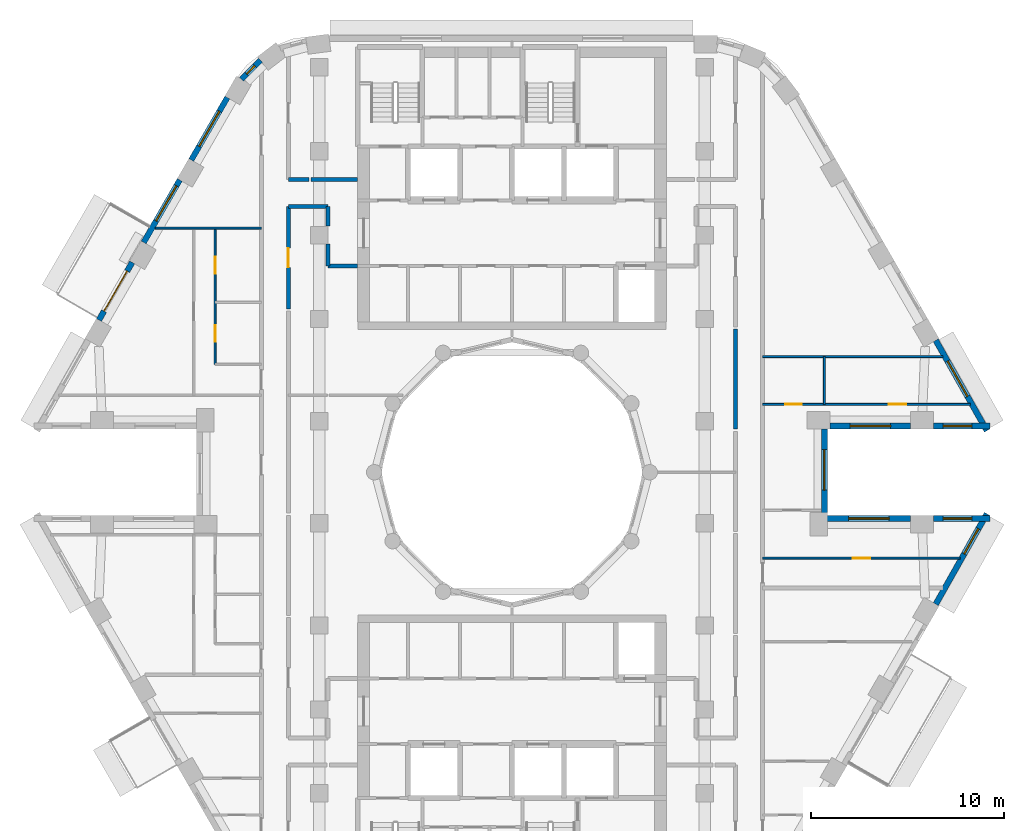
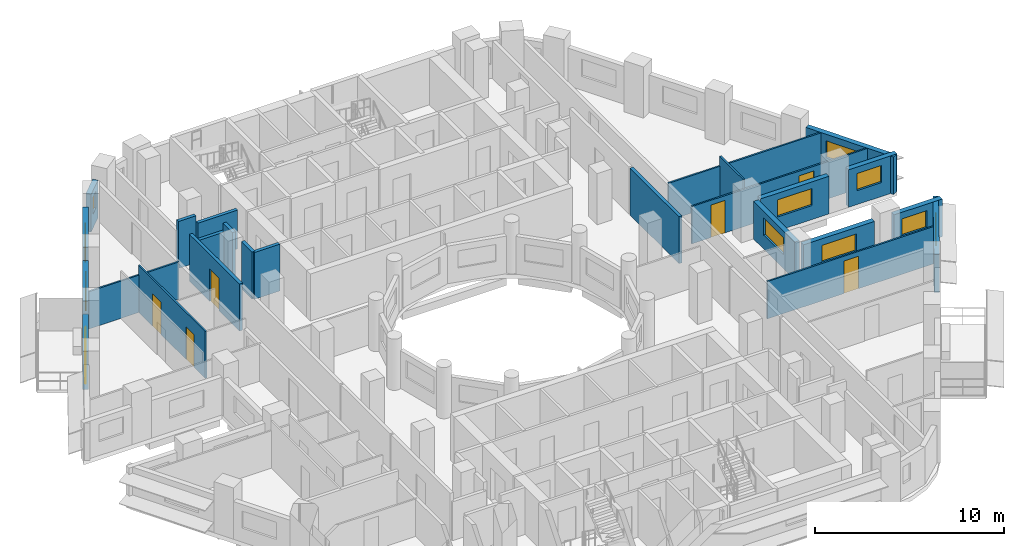
# One storey, part 7 of 17: 25 walls, 10 windows, 7 doors, 17 openings.
"""IFC4 building model written with IfcOpenShell, lengths in metres."""

from ifc_helpers import new_model, si_unit, direction, frame, frame_2d, origin, place, context, subcontext, project, spatial, rectangle, extrude, material, layer, layer_set, type_object, element, fill, save


model = new_model("IFC4")

# Units and contexts
model_context = context("Model", 3, precision=1e-05, world=origin(), true_north=direction((0.0, 1.0)))
body_context = subcontext(model_context, "Body", "Model", "MODEL_VIEW")
ifc_project = project(units=[si_unit("LENGTHUNIT", "METRE"), si_unit("AREAUNIT", "SQUARE_METRE"), si_unit("VOLUMEUNIT", "CUBIC_METRE"), si_unit("PLANEANGLEUNIT", "RADIAN"), si_unit("MASSUNIT", "GRAM", prefix="KILO")], contexts=[model_context])

# Site, building, storey
site_placement = place(None, origin())
site = spatial("IfcSite", under=ifc_project, at=site_placement, CompositionType="ELEMENT")
building_placement = place(site_placement, origin())
building = spatial("IfcBuilding", under=site, at=building_placement, Name="Nakaniwa Court", CompositionType="ELEMENT")
storey_placement = place(building_placement, frame((0.0, 0.0, 206.39990234375)))
storey = spatial("IfcBuildingStorey", under=building, at=storey_placement, Name="L54", CompositionType="ELEMENT", Elevation=206.39990234375)

# Walls
ifc_material_1 = material(Name="Acoustic double stud partition")
ifc_layer_1 = layer(ifc_material_1, 0.199951171875)
ifc_layer_set_1 = layer_set([ifc_layer_1], Name="Acoustic double stud partition")
wall_type_1 = type_object("IfcWallType", Name="Acoustic double stud partition 200", PredefinedType="PARTITIONING", material=ifc_layer_set_1)
wall_1_placement = place(storey_placement, frame((91.60009765625, 82.2373046875, 0.0), z_axis=(0.0, 0.0, 1.0), x_axis=(0.0, 1.0, 0.0)))
element("IfcWall", 1, at=wall_1_placement, inside=storey, type_object=wall_type_1, Name="Partition PW-077", PredefinedType="PARTITIONING", context=body_context, shape_type="SweptSolid", body=[
    extrude(rectangle(XDim=5.185546875, YDim=0.199951171875, at=frame_2d((2.5927734375, 0.0))), origin(), (0.0, 0.0, 1.0), 3.025146484375),
])
wall_2_placement = place(storey_placement, frame((68.39990234375, 93.77490234375, 0.0), z_axis=(0.0, 0.0, 1.0), x_axis=(1.0, 0.0, 0.0)))
element("IfcWall", 2, at=wall_2_placement, inside=storey, type_object=wall_type_1, Name="Partition PW-093", PredefinedType="PARTITIONING", context=body_context, shape_type="SweptSolid", body=[
    extrude(rectangle(XDim=2.050048828125, YDim=0.199951171875, at=frame_2d((1.02490234375, 0.0))), origin(), (0.0, 0.0, 1.0), 2.505126953125),
])
wall_3_placement = place(storey_placement, frame((70.449951171875, 90.699951171875, 0.0), z_axis=(0.0, 0.0, 1.0), x_axis=(1.0, 0.0, 0.0)))
element("IfcWall", 3, at=wall_3_placement, inside=storey, type_object=wall_type_1, Name="Partition PW-095", PredefinedType="PARTITIONING", context=body_context, shape_type="SweptSolid", body=[
    extrude(rectangle(XDim=1.550048828125, YDim=0.199951171875, at=frame_2d((0.77490234375, 0.0))), origin(), (0.0, 0.0, 1.0), 3.025146484375),
])
wall_4_placement = place(storey_placement, frame((68.39990234375, 95.175048828125, 0.0), z_axis=(0.0, 0.0, 1.0), x_axis=(1.0, 0.0, 0.0)))
element("IfcWall", 4, at=wall_4_placement, inside=storey, type_object=wall_type_1, Name="Partition PW-097", PredefinedType="PARTITIONING", context=body_context, shape_type="SweptSolid", body=[
    extrude(rectangle(XDim=1.072998046875, YDim=0.199951171875, at=frame_2d((0.53662109375, 0.0))), origin(), (0.0, 0.0, 1.0), 3.025146484375),
])
wall_5_placement = place(storey_placement, frame((69.587158203125, 95.175048828125, 0.0), z_axis=(0.0, 0.0, 1.0), x_axis=(1.0, 0.0, 0.0)))
element("IfcWall", 5, at=wall_5_placement, inside=storey, type_object=wall_type_1, Name="Partition PW-098", PredefinedType="PARTITIONING", context=body_context, shape_type="SweptSolid", body=[
    extrude(rectangle(XDim=2.412841796875, YDim=0.199951171875, at=frame_2d((1.20654296875, 0.0))), origin(), (0.0, 0.0, 1.0), 2.505126953125),
])

# Wall, opening, door
wall_6_placement = place(storey_placement, frame((68.39990234375, 93.77490234375, 0.0), z_axis=(0.0, 0.0, 1.0), x_axis=(0.0, -1.0, 0.0)))
wall_6 = element("IfcWall", 6, at=wall_6_placement, inside=storey, type_object=wall_type_1, Name="Partition PW-105", PredefinedType="PARTITIONING", context=body_context, shape_type="SweptSolid", body=[
    extrude(rectangle(XDim=5.297607421875, YDim=0.199951171875, at=frame_2d((2.64892578125, 0.0))), origin(), (0.0, 0.0, 1.0), 3.025146484375),
])
opening_1_placement = place(wall_6_placement, frame((2.14794921875, 0.0, 0.0)))
opening_1 = element("IfcOpeningElement", 7, at=opening_1_placement, cuts=wall_6, Name="Opening D-02-06", PredefinedType="OPENING", context=body_context, shape_type="SweptSolid", body=[
    extrude(rectangle(XDim=1.0, YDim=2.10009765625, at=frame_2d((0.5, 1.050048828125))), frame((0.0, 0.10986328125, 0.0), z_axis=(0.0, -1.0, 0.0), x_axis=(1.0, 0.0, 0.0)), (0.0, 0.0, 1.0), 0.219970703125),
])
ifc_material_2 = material(Name="Solid core timber door set, black veneer", Category="wood")
door_type_1 = type_object("IfcDoorType", Name="Internal door 1000", OperationType="NOTDEFINED", PredefinedType="DOOR", material=ifc_material_2)
door_1_placement = place(opening_1_placement, origin())
door_1 = element("IfcDoor", 8, at=door_1_placement, inside=storey, type_object=door_type_1, Name="Door D-02-06 L54-051", OperationType="SINGLE_SWING_RIGHT", OverallHeight=2.10009765625, OverallWidth=1.0, PredefinedType="DOOR", context=body_context, shape_type="SweptSolid", body=[
    extrude(rectangle(XDim=1.0, YDim=2.10009765625, at=frame_2d((0.5, 1.050048828125))), frame((0.0, 0.02490234375, 0.0), z_axis=(0.0, -1.0, 0.0), x_axis=(1.0, 0.0, 0.0)), (0.0, 0.0, 1.0), 0.050048828125),
])
fill(opening_1, door_1)

# Walls
wall_7_placement = place(storey_placement, frame((70.449951171875, 90.699951171875, 0.0), z_axis=(0.0, 0.0, 1.0), x_axis=(0.0, 1.0, 0.0)))
element("IfcWall", 9, at=wall_7_placement, inside=storey, type_object=wall_type_1, Name="Partition PW-110", PredefinedType="PARTITIONING", context=body_context, shape_type="SweptSolid", body=[
    extrude(rectangle(XDim=1.1328125, YDim=0.199951171875, at=frame_2d((0.56640625, 0.0))), origin(), (0.0, 0.0, 1.0), 3.025146484375),
])
wall_8_placement = place(storey_placement, frame((70.449951171875, 92.76708984375, 0.0), z_axis=(0.0, 0.0, 1.0), x_axis=(0.0, 1.0, 0.0)))
element("IfcWall", 10, at=wall_8_placement, inside=storey, type_object=wall_type_1, Name="Partition PW-111", PredefinedType="PARTITIONING", context=body_context, shape_type="SweptSolid", body=[
    extrude(rectangle(XDim=1.0078125, YDim=0.199951171875, at=frame_2d((0.50390625, 0.0))), origin(), (0.0, 0.0, 1.0), 3.025146484375),
])

# Wall, opening, window
ifc_material_3 = material(Name="Charcoal ceramic cladding")
ifc_layer_2 = layer(ifc_material_3, 0.02, Name="Ceramic cladding")
ifc_material_4 = material(Name="Ventilated air cavity")
ifc_layer_3 = layer(ifc_material_4, 0.04, ventilated=True, Name="Ventilated cavity")
ifc_material_5 = material(Name="Mineral wool insulation")
ifc_layer_4 = layer(ifc_material_5, 0.1, Name="Insulation")
ifc_material_6 = material(Name="Cement bonded sheathing board")
ifc_layer_5 = layer(ifc_material_6, 0.012, Name="Sheathing")
ifc_material_7 = material(Name="Cold-formed galvanised stud frame with mineral wool infill")
ifc_layer_6 = layer(ifc_material_7, 0.1, Name="Stud frame")
ifc_material_8 = material(Name="Fire-rated gypsum plasterboard lining")
ifc_layer_7 = layer(ifc_material_8, 0.028, Name="Lining")
ifc_layer_set_2 = layer_set([ifc_layer_2, ifc_layer_3, ifc_layer_4, ifc_layer_5, ifc_layer_6, ifc_layer_7], Name="Charcoal ceramic faced external wall system")
wall_type_2 = type_object("IfcWallType", Name="Black ceramic faced external wall 300", PredefinedType="SOLIDWALL", material=ifc_layer_set_2)
wall_9_placement = place(storey_placement, frame((96.49560546875, 82.39990234375, 0.0), z_axis=(0.0, 0.0, 1.0), x_axis=(1.0, 0.0, 0.0)))
wall_9 = element("IfcWall", 11, at=wall_9_placement, inside=storey, type_object=wall_type_2, Name="L54 external wall 00", PredefinedType="SOLIDWALL", context=body_context, shape_type="SweptSolid", body=[
    extrude(rectangle(XDim=4.17236328125, YDim=0.300048828125, at=frame_2d((2.086181640625, 0.0))), origin(), (0.0, 0.0, 1.0), 2.425048828125),
])
opening_2_placement = place(wall_9_placement, frame((1.036376953125, 0.0, 0.89990234375)))
opening_2 = element("IfcOpeningElement", 12, at=opening_2_placement, cuts=wall_9, Name="Opening W7.01", PredefinedType="OPENING", context=body_context, shape_type="SweptSolid", body=[
    extrude(rectangle(XDim=2.10009765625, YDim=1.10009765625, at=frame_2d((1.050048828125, 0.550048828125))), frame((0.0, 0.159912109375, 0.0), z_axis=(0.0, -1.0, 0.0), x_axis=(1.0, 0.0, 0.0)), (0.0, 0.0, 1.0), 0.320068359375),
])
ifc_material_9 = material(Name="Black anodised aluminium frame with dark low-E laminated double glazing", Category="aluminium")
window_type_1 = type_object("IfcWindowType", Name="Dark glass window 2100x1100 sill 900", PartitioningType="SINGLE_PANEL", PredefinedType="WINDOW", material=ifc_material_9)
window_1_placement = place(opening_2_placement, origin())
window_1 = element("IfcWindow", 13, at=window_1_placement, inside=storey, type_object=window_type_1, Name="L54 living window 00-0", OverallHeight=1.10009765625, OverallWidth=2.10009765625, PartitioningType="SINGLE_PANEL", PredefinedType="WINDOW", context=body_context, shape_type="SweptSolid", body=[
    extrude(rectangle(XDim=2.10009765625, YDim=1.10009765625, at=frame_2d((1.050048828125, 0.550048828125))), frame((0.0, 0.030029296875, 0.0), z_axis=(0.0, -1.0, 0.0), x_axis=(1.0, 0.0, 0.0)), (0.0, 0.0, 1.0), 0.06005859375),
])
fill(opening_2, window_1)

wall_10_placement = place(storey_placement, frame((101.860107421875, 82.39990234375, 0.0), z_axis=(0.0, 0.0, 1.0), x_axis=(1.0, 0.0, 0.0)))
wall_10 = element("IfcWall", 14, at=wall_10_placement, inside=storey, type_object=wall_type_2, Name="L54 external wall 01", PredefinedType="SOLIDWALL", context=body_context, shape_type="SweptSolid", body=[
    extrude(rectangle(XDim=2.937744140625, YDim=0.300048828125, at=frame_2d((1.46875, 0.0))), origin(), (0.0, 0.0, 1.0), 2.425048828125),
])
opening_3_placement = place(wall_10_placement, frame((0.493896484375, 0.0, 0.89990234375)))
opening_3 = element("IfcOpeningElement", 15, at=opening_3_placement, cuts=wall_10, Name="Opening W5.02", PredefinedType="OPENING", context=body_context, shape_type="SweptSolid", body=[
    extrude(rectangle(XDim=1.5, YDim=1.10009765625, at=frame_2d((0.75, 0.550048828125))), frame((0.0, 0.159912109375, 0.0), z_axis=(0.0, -1.0, 0.0), x_axis=(1.0, 0.0, 0.0)), (0.0, 0.0, 1.0), 0.320068359375),
])
window_type_2 = type_object("IfcWindowType", Name="Dark glass window 1500x1100 sill 900", PartitioningType="SINGLE_PANEL", PredefinedType="WINDOW", material=ifc_material_9)
window_2_placement = place(opening_3_placement, origin())
window_2 = element("IfcWindow", 16, at=window_2_placement, inside=storey, type_object=window_type_2, Name="L54 living window 01-0", OverallHeight=1.10009765625, OverallWidth=1.5, PartitioningType="SINGLE_PANEL", PredefinedType="WINDOW", context=body_context, shape_type="SweptSolid", body=[
    extrude(rectangle(XDim=1.5, YDim=1.10009765625, at=frame_2d((0.75, 0.550048828125))), frame((0.0, 0.030029296875, 0.0), z_axis=(0.0, -1.0, 0.0), x_axis=(1.0, 0.0, 0.0)), (0.0, 0.0, 1.0), 0.06005859375),
])
fill(opening_3, window_2)

wall_11_placement = place(storey_placement, frame((104.627197265625, 82.153564453125, 0.0), z_axis=(0.0, 0.0, 1.0), x_axis=(-0.492033360928, 0.870576344575, 0.0)))
wall_11 = element("IfcWall", 17, at=wall_11_placement, inside=storey, type_object=wall_type_2, Name="L54 external wall 02", PredefinedType="SOLIDWALL", context=body_context, shape_type="SweptSolid", body=[
    extrude(rectangle(XDim=5.38671875, YDim=0.300048828125, at=frame_2d((2.693359375, 0.0))), origin(), (0.0, 0.0, 1.0), 2.425048828125),
])
opening_4_placement = place(wall_11_placement, frame((2.04296875, 0.0, 0.89990234375)))
opening_4 = element("IfcOpeningElement", 18, at=opening_4_placement, cuts=wall_11, Name="Opening W7.03", PredefinedType="OPENING", context=body_context, shape_type="SweptSolid", body=[
    extrude(rectangle(XDim=2.10009765625, YDim=1.10009765625, at=frame_2d((1.050048828125, 0.550048828125))), frame((0.0, 0.159912109375, 0.0), z_axis=(0.0, -1.0, 0.0), x_axis=(1.0, 0.0, 0.0)), (0.0, 0.0, 1.0), 0.320068359375),
])
window_3_placement = place(opening_4_placement, origin())
window_3 = element("IfcWindow", 19, at=window_3_placement, inside=storey, type_object=window_type_1, Name="L54 habitable room window 02-1", OverallHeight=1.10009765625, OverallWidth=2.10009765625, PartitioningType="SINGLE_PANEL", PredefinedType="WINDOW", context=body_context, shape_type="SweptSolid", body=[
    extrude(rectangle(XDim=2.10009765625, YDim=1.10009765625, at=frame_2d((1.050048828125, 0.550048828125))), frame((0.0, 0.030029296875, 0.0), z_axis=(0.0, -1.0, 0.0), x_axis=(1.0, 0.0, 0.0)), (0.0, 0.0, 1.0), 0.06005859375),
])
fill(opening_4, window_3)

wall_12_placement = place(storey_placement, frame((66.951904296875, 101.36328125, 0.0), z_axis=(0.0, 0.0, 1.0), x_axis=(-0.70869320446, -0.705516790695, 0.0)))
wall_12 = element("IfcWall", 20, at=wall_12_placement, inside=storey, type_object=wall_type_2, Name="L54 external wall 10", PredefinedType="SOLIDWALL", context=body_context, shape_type="SweptSolid", body=[
    extrude(rectangle(XDim=1.383544921875, YDim=0.300048828125, at=frame_2d((0.69189453125, 0.0))), origin(), (0.0, 0.0, 1.0), 2.425048828125),
])
opening_5_placement = place(wall_12_placement, frame((0.407958984375, 0.0, 0.89990234375)))
opening_5 = element("IfcOpeningElement", 21, at=opening_5_placement, cuts=wall_12, Name="Opening W8.12", PredefinedType="OPENING", context=body_context, shape_type="SweptSolid", body=[
    extrude(rectangle(XDim=0.60009765625, YDim=1.10009765625, at=frame_2d((0.300048828125, 0.550048828125))), frame((0.0, 0.159912109375, 0.0), z_axis=(0.0, -1.0, 0.0), x_axis=(1.0, 0.0, 0.0)), (0.0, 0.0, 1.0), 0.320068359375),
])
window_type_3 = type_object("IfcWindowType", Name="Dark glass window 600x1100 sill 900", PartitioningType="SINGLE_PANEL", PredefinedType="WINDOW", material=ifc_material_9)
window_4_placement = place(opening_5_placement, origin())
window_4 = element("IfcWindow", 22, at=window_4_placement, inside=storey, type_object=window_type_3, Name="L54 habitable room window 10-1", OverallHeight=1.10009765625, OverallWidth=0.60009765625, PartitioningType="SINGLE_PANEL", PredefinedType="WINDOW", context=body_context, shape_type="SweptSolid", body=[
    extrude(rectangle(XDim=0.60009765625, YDim=1.10009765625, at=frame_2d((0.300048828125, 0.550048828125))), frame((0.0, 0.030029296875, 0.0), z_axis=(0.0, -1.0, 0.0), x_axis=(1.0, 0.0, 0.0)), (0.0, 0.0, 1.0), 0.06005859375),
])
fill(opening_5, window_4)

wall_13_placement = place(storey_placement, frame((65.239013671875, 99.433349609375, 0.0), z_axis=(0.0, 0.0, 1.0), x_axis=(-0.499982088007, -0.866035745032, 0.0)))
wall_13 = element("IfcWall", 23, at=wall_13_placement, inside=storey, type_object=wall_type_2, Name="L54 external wall 11", PredefinedType="SOLIDWALL", context=body_context, shape_type="SweptSolid", body=[
    extrude(rectangle(XDim=3.744384765625, YDim=0.300048828125, at=frame_2d((1.8720703125, 0.0))), origin(), (0.0, 0.0, 1.0), 2.425048828125),
])
opening_6_placement = place(wall_13_placement, frame((0.822265625, 0.0, 0.89990234375)))
opening_6 = element("IfcOpeningElement", 24, at=opening_6_placement, cuts=wall_13, Name="Opening W7.13", PredefinedType="OPENING", context=body_context, shape_type="SweptSolid", body=[
    extrude(rectangle(XDim=2.10009765625, YDim=1.10009765625, at=frame_2d((1.050048828125, 0.550048828125))), frame((0.0, 0.159912109375, 0.0), z_axis=(0.0, -1.0, 0.0), x_axis=(1.0, 0.0, 0.0)), (0.0, 0.0, 1.0), 0.320068359375),
])
window_5_placement = place(opening_6_placement, origin())
window_5 = element("IfcWindow", 25, at=window_5_placement, inside=storey, type_object=window_type_1, Name="L54 habitable room window 11-0", OverallHeight=1.10009765625, OverallWidth=2.10009765625, PartitioningType="SINGLE_PANEL", PredefinedType="WINDOW", context=body_context, shape_type="SweptSolid", body=[
    extrude(rectangle(XDim=2.10009765625, YDim=1.10009765625, at=frame_2d((1.050048828125, 0.550048828125))), frame((0.0, 0.030029296875, 0.0), z_axis=(0.0, -1.0, 0.0), x_axis=(1.0, 0.0, 0.0)), (0.0, 0.0, 1.0), 0.06005859375),
])
fill(opening_6, window_5)

wall_14_placement = place(storey_placement, frame((62.77099609375, 95.158447265625, 0.0), z_axis=(0.0, 0.0, 1.0), x_axis=(-0.500059225181, -0.86599120741, 0.0)))
wall_14 = element("IfcWall", 26, at=wall_14_placement, inside=storey, type_object=wall_type_2, Name="L54 external wall 12", PredefinedType="SOLIDWALL", context=body_context, shape_type="SweptSolid", body=[
    extrude(rectangle(XDim=3.744140625, YDim=0.300048828125, at=frame_2d((1.8720703125, 0.0))), origin(), (0.0, 0.0, 1.0), 2.425048828125),
])
opening_7_placement = place(wall_14_placement, frame((0.3544921875, 0.0, 0.89990234375)))
opening_7 = element("IfcOpeningElement", 27, at=opening_7_placement, cuts=wall_14, Name="Opening W7.14", PredefinedType="OPENING", context=body_context, shape_type="SweptSolid", body=[
    extrude(rectangle(XDim=2.10009765625, YDim=1.10009765625, at=frame_2d((1.050048828125, 0.550048828125))), frame((0.0, 0.159912109375, 0.0), z_axis=(0.0, -1.0, 0.0), x_axis=(1.0, 0.0, 0.0)), (0.0, 0.0, 1.0), 0.320068359375),
])
window_6_placement = place(opening_7_placement, origin())
window_6 = element("IfcWindow", 28, at=window_6_placement, inside=storey, type_object=window_type_1, Name="L54 habitable room window 12-0", OverallHeight=1.10009765625, OverallWidth=2.10009765625, PartitioningType="SINGLE_PANEL", PredefinedType="WINDOW", context=body_context, shape_type="SweptSolid", body=[
    extrude(rectangle(XDim=2.10009765625, YDim=1.10009765625, at=frame_2d((1.050048828125, 0.550048828125))), frame((0.0, 0.030029296875, 0.0), z_axis=(0.0, -1.0, 0.0), x_axis=(1.0, 0.0, 0.0)), (0.0, 0.0, 1.0), 0.06005859375),
])
fill(opening_7, window_6)

# Wall, opening, door
wall_15_placement = place(storey_placement, frame((60.302734375, 90.883544921875, 0.0), z_axis=(0.0, 0.0, 1.0), x_axis=(-0.499955427682, -0.866051136095, 0.0)))
wall_15 = element("IfcWall", 29, at=wall_15_placement, inside=storey, type_object=wall_type_2, Name="L54 external wall 13", PredefinedType="SOLIDWALL", context=body_context, shape_type="SweptSolid", body=[
    extrude(rectangle(XDim=3.447021484375, YDim=0.300048828125, at=frame_2d((1.7236328125, 0.0))), origin(), (0.0, 0.0, 1.0), 2.425048828125),
])
opening_8_placement = place(wall_15_placement, frame((0.5234375, 0.0, 0.0)))
opening_8 = element("IfcOpeningElement", 30, at=opening_8_placement, cuts=wall_15, Name="Opening XD13.01", PredefinedType="OPENING", context=body_context, shape_type="SweptSolid", body=[
    extrude(rectangle(XDim=2.39990234375, YDim=2.0, at=frame_2d((1.199951171875, 1.0))), frame((0.0, 0.159912109375, 0.0), z_axis=(0.0, -1.0, 0.0), x_axis=(1.0, 0.0, 0.0)), (0.0, 0.0, 1.0), 0.320068359375),
])
ifc_material_10 = material(Name="Black powder-coated aluminium frame with dark laminated glass", Category="aluminium")
door_type_2 = type_object("IfcDoorType", Name="Balcony sliding door 2400x2000", OperationType="DOUBLE_DOOR_SLIDING", PredefinedType="DOOR", material=ifc_material_10)
door_2_placement = place(opening_8_placement, origin())
door_2 = element("IfcDoor", 31, at=door_2_placement, inside=storey, type_object=door_type_2, Name="L54 balcony sliding door 01", OperationType="DOUBLE_DOOR_SLIDING", OverallHeight=2.0, OverallWidth=2.39990234375, PredefinedType="DOOR", context=body_context, shape_type="SweptSolid", body=[
    extrude(rectangle(XDim=2.39990234375, YDim=2.0, at=frame_2d((1.199951171875, 1.0))), frame((0.0, 0.02490234375, 0.0), z_axis=(0.0, -1.0, 0.0), x_axis=(1.0, 0.0, 0.0)), (0.0, 0.0, 1.0), 0.050048828125),
])
fill(opening_8, door_2)

# Wall, opening, window
wall_16_placement = place(storey_placement, frame((101.976806640625, 73.156982421875, 0.0), z_axis=(0.0, 0.0, 1.0), x_axis=(0.492033360928, 0.870576344575, 0.0)))
wall_16 = element("IfcWall", 32, at=wall_16_placement, inside=storey, type_object=wall_type_2, Name="L54 external wall 32", PredefinedType="SOLIDWALL", context=body_context, shape_type="SweptSolid", body=[
    extrude(rectangle(XDim=5.38671875, YDim=0.300048828125, at=frame_2d((2.693359375, 0.0))), origin(), (0.0, 0.0, 1.0), 2.425048828125),
])
opening_9_placement = place(wall_16_placement, frame((2.993896484375, 0.0, 0.89990234375)))
opening_9 = element("IfcOpeningElement", 33, at=opening_9_placement, cuts=wall_16, Name="Opening W5.32", PredefinedType="OPENING", context=body_context, shape_type="SweptSolid", body=[
    extrude(rectangle(XDim=1.5, YDim=1.10009765625, at=frame_2d((0.75, 0.550048828125))), frame((0.0, 0.159912109375, 0.0), z_axis=(0.0, -1.0, 0.0), x_axis=(1.0, 0.0, 0.0)), (0.0, 0.0, 1.0), 0.320068359375),
])
window_7_placement = place(opening_9_placement, origin())
window_7 = element("IfcWindow", 34, at=window_7_placement, inside=storey, type_object=window_type_2, Name="L54 habitable room window 32-2", OverallHeight=1.10009765625, OverallWidth=1.5, PartitioningType="SINGLE_PANEL", PredefinedType="WINDOW", context=body_context, shape_type="SweptSolid", body=[
    extrude(rectangle(XDim=1.5, YDim=1.10009765625, at=frame_2d((0.75, 0.550048828125))), frame((0.0, 0.030029296875, 0.0), z_axis=(0.0, -1.0, 0.0), x_axis=(1.0, 0.0, 0.0)), (0.0, 0.0, 1.0), 0.06005859375),
])
fill(opening_9, window_7)

wall_17_placement = place(storey_placement, frame((104.7978515625, 77.60009765625, 0.0), z_axis=(0.0, 0.0, 1.0), x_axis=(-1.0, 0.0, 0.0)))
wall_17 = element("IfcWall", 35, at=wall_17_placement, inside=storey, type_object=wall_type_2, Name="L54 external wall 33", PredefinedType="SOLIDWALL", context=body_context, shape_type="SweptSolid", body=[
    extrude(rectangle(XDim=2.937744140625, YDim=0.300048828125, at=frame_2d((1.46875, 0.0))), origin(), (0.0, 0.0, 1.0), 2.425048828125),
])
opening_10_placement = place(wall_17_placement, frame((0.944091796875, 0.0, 0.89990234375)))
opening_10 = element("IfcOpeningElement", 36, at=opening_10_placement, cuts=wall_17, Name="Opening W5.33", PredefinedType="OPENING", context=body_context, shape_type="SweptSolid", body=[
    extrude(rectangle(XDim=1.5, YDim=1.10009765625, at=frame_2d((0.75, 0.550048828125))), frame((0.0, 0.159912109375, 0.0), z_axis=(0.0, -1.0, 0.0), x_axis=(1.0, 0.0, 0.0)), (0.0, 0.0, 1.0), 0.320068359375),
])
window_8_placement = place(opening_10_placement, origin())
window_8 = element("IfcWindow", 37, at=window_8_placement, inside=storey, type_object=window_type_2, Name="L54 habitable room window 33-0", OverallHeight=1.10009765625, OverallWidth=1.5, PartitioningType="SINGLE_PANEL", PredefinedType="WINDOW", context=body_context, shape_type="SweptSolid", body=[
    extrude(rectangle(XDim=1.5, YDim=1.10009765625, at=frame_2d((0.75, 0.550048828125))), frame((0.0, 0.030029296875, 0.0), z_axis=(0.0, -1.0, 0.0), x_axis=(1.0, 0.0, 0.0)), (0.0, 0.0, 1.0), 0.06005859375),
])
fill(opening_10, window_8)

wall_18_placement = place(storey_placement, frame((100.66796875, 77.60009765625, 0.0), z_axis=(0.0, 0.0, 1.0), x_axis=(-1.0, 0.0, 0.0)))
wall_18 = element("IfcWall", 38, at=wall_18_placement, inside=storey, type_object=wall_type_2, Name="L54 external wall 34", PredefinedType="SOLIDWALL", context=body_context, shape_type="SweptSolid", body=[
    extrude(rectangle(XDim=4.322509765625, YDim=0.300048828125, at=frame_2d((2.1611328125, 0.0))), origin(), (0.0, 0.0, 1.0), 2.425048828125),
])
opening_11_placement = place(wall_18_placement, frame((1.111083984375, 0.0, 0.89990234375)))
opening_11 = element("IfcOpeningElement", 39, at=opening_11_placement, cuts=wall_18, Name="Opening W7.34", PredefinedType="OPENING", context=body_context, shape_type="SweptSolid", body=[
    extrude(rectangle(XDim=2.10009765625, YDim=1.10009765625, at=frame_2d((1.050048828125, 0.550048828125))), frame((0.0, 0.159912109375, 0.0), z_axis=(0.0, -1.0, 0.0), x_axis=(1.0, 0.0, 0.0)), (0.0, 0.0, 1.0), 0.320068359375),
])
window_9_placement = place(opening_11_placement, origin())
window_9 = element("IfcWindow", 40, at=window_9_placement, inside=storey, type_object=window_type_1, Name="L54 habitable room window 34-0", OverallHeight=1.10009765625, OverallWidth=2.10009765625, PartitioningType="SINGLE_PANEL", PredefinedType="WINDOW", context=body_context, shape_type="SweptSolid", body=[
    extrude(rectangle(XDim=2.10009765625, YDim=1.10009765625, at=frame_2d((1.050048828125, 0.550048828125))), frame((0.0, 0.030029296875, 0.0), z_axis=(0.0, -1.0, 0.0), x_axis=(1.0, 0.0, 0.0)), (0.0, 0.0, 1.0), 0.06005859375),
])
fill(opening_11, window_9)

wall_19_placement = place(storey_placement, frame((96.199462890625, 77.89599609375, 0.0), z_axis=(0.0, 0.0, 1.0), x_axis=(0.0, 1.0, 0.0)))
wall_19 = element("IfcWall", 41, at=wall_19_placement, inside=storey, type_object=wall_type_2, Name="L54 external wall 35", PredefinedType="SOLIDWALL", context=body_context, shape_type="SweptSolid", body=[
    extrude(rectangle(XDim=4.35791015625, YDim=0.300048828125, at=frame_2d((2.178955078125, 0.0))), origin(), (0.0, 0.0, 1.0), 2.425048828125),
])
opening_12_placement = place(wall_19_placement, frame((1.181396484375, 0.0, 0.89990234375)))
opening_12 = element("IfcOpeningElement", 42, at=opening_12_placement, cuts=wall_19, Name="Opening W7.35", PredefinedType="OPENING", context=body_context, shape_type="SweptSolid", body=[
    extrude(rectangle(XDim=2.10009765625, YDim=1.10009765625, at=frame_2d((1.050048828125, 0.550048828125))), frame((0.0, 0.159912109375, 0.0), z_axis=(0.0, -1.0, 0.0), x_axis=(1.0, 0.0, 0.0)), (0.0, 0.0, 1.0), 0.320068359375),
])
window_10_placement = place(opening_12_placement, origin())
window_10 = element("IfcWindow", 43, at=window_10_placement, inside=storey, type_object=window_type_1, Name="L54 living window 35-1", OverallHeight=1.10009765625, OverallWidth=2.10009765625, PartitioningType="SINGLE_PANEL", PredefinedType="WINDOW", context=body_context, shape_type="SweptSolid", body=[
    extrude(rectangle(XDim=2.10009765625, YDim=1.10009765625, at=frame_2d((1.050048828125, 0.550048828125))), frame((0.0, 0.030029296875, 0.0), z_axis=(0.0, -1.0, 0.0), x_axis=(1.0, 0.0, 0.0)), (0.0, 0.0, 1.0), 0.06005859375),
])
fill(opening_12, window_10)

# Wall, opening, door
ifc_material_11 = material(Name="Single stud plasterboard partition")
ifc_layer_8 = layer(ifc_material_11, 0.10009765625)
ifc_layer_set_3 = layer_set([ifc_layer_8], Name="Single stud plasterboard partition")
wall_type_3 = type_object("IfcWallType", Name="Single stud plasterboard partition 100", PredefinedType="PARTITIONING", material=ifc_layer_set_3)
wall_20_placement = place(storey_placement, frame((93.0009765625, 75.550048828125, 0.0), z_axis=(0.0, 0.0, 1.0), x_axis=(1.0, 0.0, 0.0)))
wall_20 = element("IfcWall", 44, at=wall_20_placement, inside=storey, type_object=wall_type_3, Name="Partition PW-122", PredefinedType="PARTITIONING", context=body_context, shape_type="SweptSolid", body=[
    extrude(rectangle(XDim=10.2373046875, YDim=0.10009765625, at=frame_2d((5.11865234375, 0.0))), origin(), (0.0, 0.0, 1.0), 2.405029296875),
])
opening_13_placement = place(wall_20_placement, frame((4.6689453125, 0.0, 0.0)))
opening_13 = element("IfcOpeningElement", 45, at=opening_13_placement, cuts=wall_20, Name="Opening D-33-03", PredefinedType="OPENING", context=body_context, shape_type="SweptSolid", body=[
    extrude(rectangle(XDim=0.89990234375, YDim=2.10009765625, at=frame_2d((0.449951171875, 1.050048828125))), frame((0.0, 0.06005859375, 0.0), z_axis=(0.0, -1.0, 0.0), x_axis=(1.0, 0.0, 0.0)), (0.0, 0.0, 1.0), 0.1201171875),
])
door_type_3 = type_object("IfcDoorType", Name="Internal door 900", OperationType="NOTDEFINED", PredefinedType="DOOR", material=ifc_material_2)
door_3_placement = place(opening_13_placement, origin())
door_3 = element("IfcDoor", 46, at=door_3_placement, inside=storey, type_object=door_type_3, Name="Door D-33-03 L54-036", OperationType="SINGLE_SWING_LEFT", OverallHeight=2.10009765625, OverallWidth=0.89990234375, PredefinedType="DOOR", context=body_context, shape_type="SweptSolid", body=[
    extrude(rectangle(XDim=0.89990234375, YDim=2.10009765625, at=frame_2d((0.449951171875, 1.050048828125))), frame((0.0, 0.02490234375, 0.0), z_axis=(0.0, -1.0, 0.0), x_axis=(1.0, 0.0, 0.0)), (0.0, 0.0, 1.0), 0.050048828125),
])
fill(opening_13, door_3)

# Wall, openings, doors
wall_21_placement = place(storey_placement, frame((93.0009765625, 83.52490234375, 0.0), z_axis=(0.0, 0.0, 1.0), x_axis=(1.0, 0.0, 0.0)))
wall_21 = element("IfcWall", 47, at=wall_21_placement, inside=storey, type_object=wall_type_3, Name="Partition PW-124", PredefinedType="PARTITIONING", context=body_context, shape_type="SweptSolid", body=[
    extrude(rectangle(XDim=10.771484375, YDim=0.10009765625, at=frame_2d((5.3857421875, 0.0))), origin(), (0.0, 0.0, 1.0), 2.405029296875),
])
opening_14_placement = place(wall_21_placement, frame((1.175048828125, 0.0, 0.0)))
opening_14 = element("IfcOpeningElement", 48, at=opening_14_placement, cuts=wall_21, Name="Opening D-03-02", PredefinedType="OPENING", context=body_context, shape_type="SweptSolid", body=[
    extrude(rectangle(XDim=0.85009765625, YDim=2.10009765625, at=frame_2d((0.425048828125, 1.050048828125))), frame((0.0, 0.06005859375, 0.0), z_axis=(0.0, -1.0, 0.0), x_axis=(1.0, 0.0, 0.0)), (0.0, 0.0, 1.0), 0.1201171875),
])
opening_15_placement = place(wall_21_placement, frame((6.535888671875, 0.0, 0.0)))
opening_15 = element("IfcOpeningElement", 49, at=opening_15_placement, cuts=wall_21, Name="Opening D-33-05", PredefinedType="OPENING", context=body_context, shape_type="SweptSolid", body=[
    extrude(rectangle(XDim=0.89990234375, YDim=2.10009765625, at=frame_2d((0.449951171875, 1.050048828125))), frame((0.0, 0.06005859375, 0.0), z_axis=(0.0, -1.0, 0.0), x_axis=(1.0, 0.0, 0.0)), (0.0, 0.0, 1.0), 0.1201171875),
])
ifc_material_12 = material(Name="Moisture sealed timber door set", Category="wood")
door_type_4 = type_object("IfcDoorType", Name="Bathroom door 850", OperationType="NOTDEFINED", PredefinedType="DOOR", material=ifc_material_12)
door_4_placement = place(opening_14_placement, origin())
door_4 = element("IfcDoor", 50, at=door_4_placement, inside=storey, type_object=door_type_4, Name="Door D-03-02 L54-038", OperationType="SINGLE_SWING_LEFT", OverallHeight=2.10009765625, OverallWidth=0.85009765625, PredefinedType="DOOR", context=body_context, shape_type="SweptSolid", body=[
    extrude(rectangle(XDim=0.85009765625, YDim=2.10009765625, at=frame_2d((0.425048828125, 1.050048828125))), frame((0.0, 0.02490234375, 0.0), z_axis=(0.0, -1.0, 0.0), x_axis=(1.0, 0.0, 0.0)), (0.0, 0.0, 1.0), 0.050048828125),
])
fill(opening_14, door_4)
door_5_placement = place(opening_15_placement, origin())
door_5 = element("IfcDoor", 51, at=door_5_placement, inside=storey, type_object=door_type_3, Name="Door D-33-05 L54-039", OperationType="SINGLE_SWING_RIGHT", OverallHeight=2.10009765625, OverallWidth=0.89990234375, PredefinedType="DOOR", context=body_context, shape_type="SweptSolid", body=[
    extrude(rectangle(XDim=0.89990234375, YDim=2.10009765625, at=frame_2d((0.449951171875, 1.050048828125))), frame((0.0, 0.02490234375, 0.0), z_axis=(0.0, -1.0, 0.0), x_axis=(1.0, 0.0, 0.0)), (0.0, 0.0, 1.0), 0.050048828125),
])
fill(opening_15, door_5)

# Walls
wall_22_placement = place(storey_placement, frame((96.200927734375, 83.52490234375, 0.0), z_axis=(0.0, 0.0, 1.0), x_axis=(0.0, 1.0, 0.0)))
element("IfcWall", 52, at=wall_22_placement, inside=storey, type_object=wall_type_3, Name="Partition PW-125", PredefinedType="PARTITIONING", context=body_context, shape_type="SweptSolid", body=[
    extrude(rectangle(XDim=2.47509765625, YDim=0.10009765625, at=frame_2d((1.237548828125, 0.0))), origin(), (0.0, 0.0, 1.0), 3.025146484375),
])
wall_23_placement = place(storey_placement, frame((93.001220703125, 86.0, 0.0), z_axis=(0.0, 0.0, 1.0), x_axis=(1.0, 0.0, 0.0)))
element("IfcWall", 53, at=wall_23_placement, inside=storey, type_object=wall_type_3, Name="Partition PW-126", PredefinedType="PARTITIONING", context=body_context, shape_type="SweptSolid", body=[
    extrude(rectangle(XDim=9.34228515625, YDim=0.10009765625, at=frame_2d((4.671142578125, 0.0))), origin(), (0.0, 0.0, 1.0), 2.405029296875),
])

# Wall, openings, doors
wall_24_placement = place(storey_placement, frame((64.59912109375, 92.66259765625, 0.0), z_axis=(0.0, 0.0, 1.0), x_axis=(0.0, -1.0, 0.0)))
wall_24 = element("IfcWall", 54, at=wall_24_placement, inside=storey, type_object=wall_type_3, Name="Partition PW-132", PredefinedType="PARTITIONING", context=body_context, shape_type="SweptSolid", body=[
    extrude(rectangle(XDim=7.0625, YDim=0.10009765625, at=frame_2d((3.53125, 0.0))), origin(), (0.0, 0.0, 1.0), 3.025146484375),
])
opening_16_placement = place(wall_24_placement, frame((5.032958984375, 0.0, 0.0)))
opening_16 = element("IfcOpeningElement", 55, at=opening_16_placement, cuts=wall_24, Name="Opening D-03-05", PredefinedType="OPENING", context=body_context, shape_type="SweptSolid", body=[
    extrude(rectangle(XDim=0.85009765625, YDim=2.10009765625, at=frame_2d((0.425048828125, 1.050048828125))), frame((0.0, 0.06005859375, 0.0), z_axis=(0.0, -1.0, 0.0), x_axis=(1.0, 0.0, 0.0)), (0.0, 0.0, 1.0), 0.1201171875),
])
opening_17_placement = place(wall_24_placement, frame((1.47705078125, 0.0, 0.0)))
opening_17 = element("IfcOpeningElement", 56, at=opening_17_placement, cuts=wall_24, Name="Opening D-33-10", PredefinedType="OPENING", context=body_context, shape_type="SweptSolid", body=[
    extrude(rectangle(XDim=0.89990234375, YDim=2.10009765625, at=frame_2d((0.449951171875, 1.050048828125))), frame((0.0, 0.06005859375, 0.0), z_axis=(0.0, -1.0, 0.0), x_axis=(1.0, 0.0, 0.0)), (0.0, 0.0, 1.0), 0.1201171875),
])
door_6_placement = place(opening_16_placement, origin())
door_6 = element("IfcDoor", 57, at=door_6_placement, inside=storey, type_object=door_type_4, Name="Door D-03-05 L54-053", OperationType="SINGLE_SWING_RIGHT", OverallHeight=2.10009765625, OverallWidth=0.85009765625, PredefinedType="DOOR", context=body_context, shape_type="SweptSolid", body=[
    extrude(rectangle(XDim=0.85009765625, YDim=2.10009765625, at=frame_2d((0.425048828125, 1.050048828125))), frame((0.0, 0.02490234375, 0.0), z_axis=(0.0, -1.0, 0.0), x_axis=(1.0, 0.0, 0.0)), (0.0, 0.0, 1.0), 0.050048828125),
])
fill(opening_16, door_6)
door_7_placement = place(opening_17_placement, origin())
door_7 = element("IfcDoor", 58, at=door_7_placement, inside=storey, type_object=door_type_3, Name="Door D-33-10 L54-054", OperationType="SINGLE_SWING_LEFT", OverallHeight=2.10009765625, OverallWidth=0.89990234375, PredefinedType="DOOR", context=body_context, shape_type="SweptSolid", body=[
    extrude(rectangle(XDim=0.89990234375, YDim=2.10009765625, at=frame_2d((0.449951171875, 1.050048828125))), frame((0.0, 0.02490234375, 0.0), z_axis=(0.0, -1.0, 0.0), x_axis=(1.0, 0.0, 0.0)), (0.0, 0.0, 1.0), 0.050048828125),
])
fill(opening_17, door_7)

# Wall
wall_25_placement = place(storey_placement, frame((61.503173828125, 92.662109375, 0.0), z_axis=(0.0, 0.0, 1.0), x_axis=(1.0, 0.0, 0.0)))
element("IfcWall", 59, at=wall_25_placement, inside=storey, type_object=wall_type_3, Name="Partition PW-142", PredefinedType="PARTITIONING", context=body_context, shape_type="SweptSolid", body=[
    extrude(rectangle(XDim=5.495849609375, YDim=0.10009765625, at=frame_2d((2.748046875, 0.0))), origin(), (0.0, 0.0, 1.0), 2.405029296875),
])

save(model, "model.ifc")
